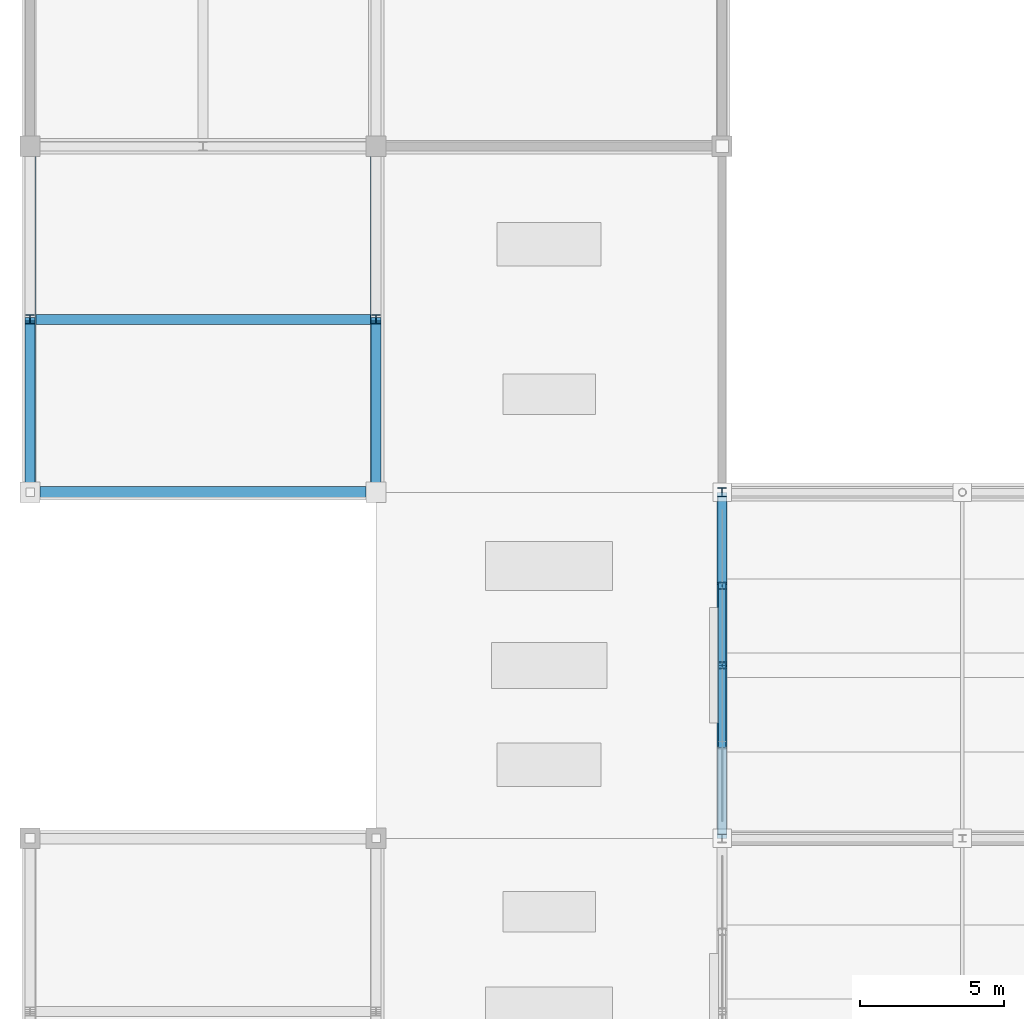
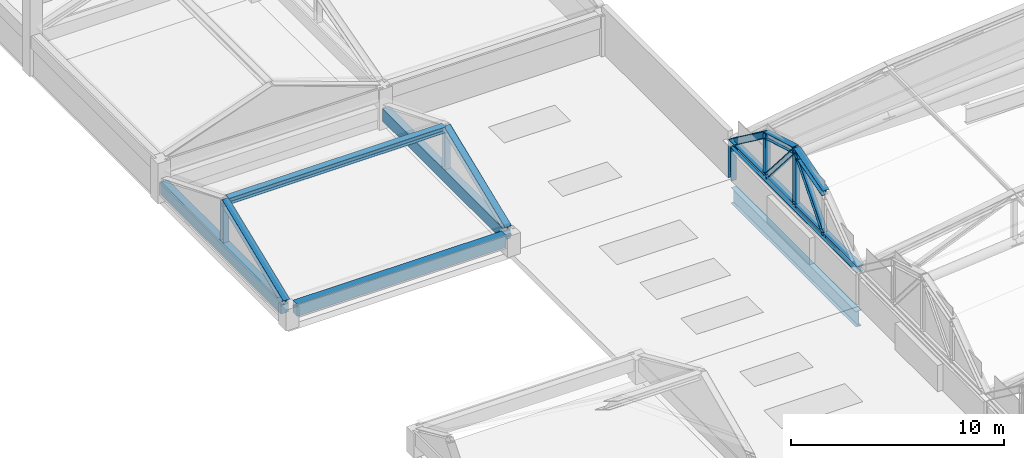
# One storey, part 38 of 117: 14 members, 4 beams.
"""IFC4 building model written with IfcOpenShell, lengths in metres."""

from ifc_helpers import new_model, si_unit, direction, frame, origin, origin_2d, place, context, subcontext, project, spatial, rectangle, i_section, extrude, material, material_profile, profile_set, type_object, element, save


model = new_model("IFC4")

# Units and contexts
model_context = context("Model", 3, precision=1e-05, world=origin(), true_north=direction((0.0, 1.0)))
body_context = subcontext(model_context, "Body", "Model", "MODEL_VIEW")
ifc_project = project(units=[si_unit("LENGTHUNIT", "METRE"), si_unit("AREAUNIT", "SQUARE_METRE"), si_unit("VOLUMEUNIT", "CUBIC_METRE"), si_unit("PLANEANGLEUNIT", "RADIAN"), si_unit("MASSUNIT", "GRAM", prefix="KILO")], contexts=[model_context])

# Site, building, storey
site_placement = place(None, origin())
site = spatial("IfcSite", under=ifc_project, at=site_placement, CompositionType="ELEMENT")
building_placement = place(site_placement, origin())
building = spatial("IfcBuilding", under=site, at=building_placement, Name="Kazenohara Klinker Stadium", CompositionType="ELEMENT")
storey_placement = place(building_placement, frame((0.0, 0.0, 31.199951171875)))
storey = spatial("IfcBuildingStorey", under=building, at=storey_placement, Name="RF", CompositionType="ELEMENT", Elevation=31.199951171875)

# Beams
ifc_material_1 = material(Name="Concrete C40/50", Category="concrete")
ifc_material_profile_1 = material_profile(ifc_material_1, rectangle(XDim=0.39990234375, YDim=0.699951171875, at=origin_2d()), Name="RC-BM-400x700")
ifc_profile_set_1 = profile_set([ifc_material_profile_1], Name="Concrete C40/50")
beam_type_1 = type_object("IfcBeamType", Name="BM-RC04", PredefinedType="BEAM", material=ifc_profile_set_1)
for number, where, z_axis, x_axis, name in (
    (1, (0.35009765625, 132.0, 0.85009765625), (1.0, 0.0, 0.0), (0.0, 1.0, 0.0), "Turret crown eave girder BG04 RF X0-11"),
    (2, (0.0, 132.35009765625, 0.85009765625), (0.0, 1.0, 0.0), (-1.0, 0.0, 0.0), "Turret crown eave girder BG04 RF Y0-11"),
    (3, (12.0, 132.35009765625, 0.85009765625), (0.0, 1.0, 0.0), (-1.0, 0.0, 0.0), "Turret crown eave girder BG04 RF Y1-11"),
):
    element("IfcBeam", number, at=place(storey_placement, frame(where, z_axis=z_axis, x_axis=x_axis)), inside=storey, type_object=beam_type_1, Name=name, PredefinedType="BEAM", context=body_context, shape_type="SweptSolid", body=[
        extrude(rectangle(XDim=0.39990234375, YDim=0.699951171875, at=origin_2d()), origin(), (0.0, 0.0, 1.0), 11.2998046875),
    ])

# Members
ifc_material_2 = material(Name="Steel S355", Category="steel")
ifc_material_profile_2 = material_profile(ifc_material_2, i_section(OverallWidth=0.35009765625, OverallDepth=0.35009765625, WebThickness=0.011962890625, FlangeThickness=0.01904296875, FilletRadius=0.012939453125, at=origin_2d()), Name="H-350x350x12x19")
ifc_profile_set_2 = profile_set([ifc_material_profile_2], Name="Steel S355")
member_type_1 = type_object("IfcMemberType", Name="MEM-CHD02", PredefinedType="CHORD", material=ifc_profile_set_2)
for number, where, z_axis, x_axis, name in (
    (4, (0.0, 132.25, 1.179931640625), (0.0, 0.927356425175, 0.374179182593), (-1.0, 0.0, 0.0), "Crown gable rafter WBST-11 W South"),
    (5, (12.0, 132.25, 1.179931640625), (0.0, 0.927356425175, 0.374179182593), (-1.0, 0.0, 0.0), "Crown gable rafter WBST-11 E South"),
):
    element("IfcMember", number, at=place(storey_placement, frame(where, z_axis=z_axis, x_axis=x_axis)), inside=storey, type_object=member_type_1, Name=name, PredefinedType="CHORD", context=body_context, shape_type="SweptSolid", body=[
        extrude(i_section(OverallWidth=0.35009765625, OverallDepth=0.35009765625, WebThickness=0.011962890625, FlangeThickness=0.01904296875, FilletRadius=0.012939453125, at=origin_2d()), origin(), (0.0, 0.0, 1.0), 6.200439453125),
    ])
member_1_placement = place(storey_placement, frame((0.14990234375, 138.0, 3.5), z_axis=(1.0, 0.0, 0.0), x_axis=(0.0, 1.0, 0.0)))
element("IfcMember", 6, at=member_1_placement, inside=storey, type_object=member_type_1, Name="Crown ridge beam WBST-11", PredefinedType="CHORD", context=body_context, shape_type="SweptSolid", body=[
    extrude(i_section(OverallWidth=0.35009765625, OverallDepth=0.35009765625, WebThickness=0.011962890625, FlangeThickness=0.01904296875, FilletRadius=0.012939453125, at=origin_2d()), origin(), (0.0, 0.0, 1.0), 11.7001953125),
])
member_2_placement = place(storey_placement, frame((24.0, 120.0, 2.10009765625), z_axis=(0.0, 1.0, 0.0), x_axis=(-1.0, 0.0, 0.0)))
element("IfcMember", 7, at=member_2_placement, inside=storey, type_object=member_type_1, Name="Barrel arch tie chord TC02 W-07-N0", PredefinedType="CHORD", context=body_context, shape_type="SweptSolid", body=[
    extrude(i_section(OverallWidth=0.35009765625, OverallDepth=0.35009765625, WebThickness=0.011962890625, FlangeThickness=0.01904296875, FilletRadius=0.012939453125, at=origin_2d()), origin(), (0.0, 0.0, 1.0), 12.0),
])
for number, where, z_axis, x_axis, name in (
    (8, (24.0, 123.239990234375, 4.5), (0.0, 0.960462085918, 0.27841081429), (-1.0, 0.0, 0.0), "Barrel arch top rib TC02 W-07-N0-S2"),
    (9, (24.0, 126.0, 5.300048828125), (0.0, 0.960462085918, -0.27841081429), (-1.0, 0.0, 0.0), "Barrel arch top rib TC02 W-07-N0-S3"),
):
    element("IfcMember", number, at=place(storey_placement, frame(where, z_axis=z_axis, x_axis=x_axis)), inside=storey, type_object=member_type_1, Name=name, PredefinedType="CHORD", context=body_context, shape_type="SweptSolid", body=[
        extrude(i_section(OverallWidth=0.35009765625, OverallDepth=0.35009765625, WebThickness=0.011962890625, FlangeThickness=0.01904296875, FilletRadius=0.012939453125, at=origin_2d()), origin(), (0.0, 0.0, 1.0), 2.87353515625),
    ])
member_3_placement = place(storey_placement, frame((24.0, 128.760009765625, 4.5), z_axis=(0.0, 0.803567919639, -0.595213069856), x_axis=(-1.0, 0.0, 0.0)))
element("IfcMember", 10, at=member_3_placement, inside=storey, type_object=member_type_1, Name="Barrel arch top rib TC02 W-07-N0-S4", PredefinedType="CHORD", context=body_context, shape_type="SweptSolid", body=[
    extrude(i_section(OverallWidth=0.35009765625, OverallDepth=0.35009765625, WebThickness=0.011962890625, FlangeThickness=0.01904296875, FilletRadius=0.012939453125, at=origin_2d()), origin(), (0.0, 0.0, 1.0), 4.031982421875),
])
ifc_material_profile_3 = material_profile(ifc_material_2, i_section(OverallWidth=0.300048828125, OverallDepth=0.300048828125, WebThickness=0.010009765625, FlangeThickness=0.014892578125, FilletRadius=0.012939453125, at=origin_2d()), Name="H-300x300x10x15")
ifc_profile_set_3 = profile_set([ifc_material_profile_3], Name="Steel S355")
member_type_2 = type_object("IfcMemberType", Name="MEM-STR01", PredefinedType="STRUT", material=ifc_profile_set_3)
for number, where, z_axis, x_axis, name in (
    (11, (0.0, 138.0, 1.179931640625), (0.0, 0.0, 1.0), (1.0, 0.0, 0.0), "Crown gable king-post WBST-11 W"),
    (12, (12.0, 138.0, 1.179931640625), (0.0, 0.0, 1.0), (1.0, 0.0, 0.0), "Crown gable king-post WBST-11 E"),
):
    element("IfcMember", number, at=place(storey_placement, frame(where, z_axis=z_axis, x_axis=x_axis)), inside=storey, type_object=member_type_2, Name=name, PredefinedType="STRUT", context=body_context, shape_type="SweptSolid", body=[
        extrude(i_section(OverallWidth=0.300048828125, OverallDepth=0.300048828125, WebThickness=0.010009765625, FlangeThickness=0.014892578125, FilletRadius=0.012939453125, at=origin_2d()), origin(), (0.0, 0.0, 1.0), 2.320068359375),
    ])
member_4_placement = place(storey_placement, frame((24.0, 132.0, -0.02001953125), z_axis=(0.0, 0.0, 1.0), x_axis=(1.0, 0.0, 0.0)))
element("IfcMember", 13, at=member_4_placement, inside=storey, type_object=member_type_2, Name="ROOF TRUSS RT-W08 web post 1", PredefinedType="STRUT", context=body_context, shape_type="SweptSolid", body=[
    extrude(i_section(OverallWidth=0.300048828125, OverallDepth=0.300048828125, WebThickness=0.010009765625, FlangeThickness=0.014892578125, FilletRadius=0.012939453125, at=origin_2d()), origin(), (0.0, 0.0, 1.0), 2.1201171875),
])
ifc_material_profile_4 = material_profile(ifc_material_2, i_section(OverallWidth=0.25, OverallDepth=0.25, WebThickness=0.009033203125, FlangeThickness=0.013916015625, FilletRadius=0.012939453125, at=origin_2d()), Name="H-250x250x9x14")
ifc_profile_set_4 = profile_set([ifc_material_profile_4], Name="Steel S355")
member_type_3 = type_object("IfcMemberType", Name="MEM-STR02", PredefinedType="STRUT", material=ifc_profile_set_4)
member_5_placement = place(storey_placement, frame((24.0, 126.0, 2.10009765625), z_axis=(0.0, 0.0, 1.0), x_axis=(1.0, 0.0, 0.0)))
element("IfcMember", 14, at=member_5_placement, inside=storey, type_object=member_type_3, Name="Barrel arch web post TS02 W-07-N0-P2", PredefinedType="STRUT", context=body_context, shape_type="SweptSolid", body=[
    extrude(i_section(OverallWidth=0.25, OverallDepth=0.25, WebThickness=0.009033203125, FlangeThickness=0.013916015625, FilletRadius=0.012939453125, at=origin_2d()), origin(), (0.0, 0.0, 1.0), 3.199951171875),
])
member_6_placement = place(storey_placement, frame((24.0, 128.760009765625, 2.10009765625), z_axis=(0.0, 0.0, 1.0), x_axis=(1.0, 0.0, 0.0)))
element("IfcMember", 15, at=member_6_placement, inside=storey, type_object=member_type_3, Name="Barrel arch web post TS02 W-07-N0-P3", PredefinedType="STRUT", context=body_context, shape_type="SweptSolid", body=[
    extrude(i_section(OverallWidth=0.25, OverallDepth=0.25, WebThickness=0.009033203125, FlangeThickness=0.013916015625, FilletRadius=0.012939453125, at=origin_2d()), origin(), (0.0, 0.0, 1.0), 2.39990234375),
])
for number, where, z_axis, x_axis, name in (
    (16, (24.0, 123.239990234375, 2.10009765625), (0.0, 0.653133887971, 0.757242447558), (-1.0, 0.0, 0.0), "Barrel arch web diagonal TS02 W-07-N0-D1"),
    (17, (24.0, 128.760009765625, 2.10009765625), (0.0, -0.653133887971, 0.757242447558), (1.0, 0.0, 0.0), "Barrel arch web diagonal TS02 W-07-N0-D2"),
):
    element("IfcMember", number, at=place(storey_placement, frame(where, z_axis=z_axis, x_axis=x_axis)), inside=storey, type_object=member_type_3, Name=name, PredefinedType="STRUT", context=body_context, shape_type="SweptSolid", body=[
        extrude(i_section(OverallWidth=0.25, OverallDepth=0.25, WebThickness=0.009033203125, FlangeThickness=0.013916015625, FilletRadius=0.012939453125, at=origin_2d()), origin(), (0.0, 0.0, 1.0), 4.225830078125),
    ])

# Beam
ifc_material_profile_5 = material_profile(ifc_material_2, i_section(OverallWidth=0.300048828125, OverallDepth=0.89990234375, WebThickness=0.01611328125, FlangeThickness=0.028076171875, FilletRadius=0.02197265625, at=origin_2d()), Name="H-900x300x16x28")
ifc_profile_set_5 = profile_set([ifc_material_profile_5], Name="Steel S355")
beam_type_2 = type_object("IfcBeamType", Name="RING-RB01", PredefinedType="USERDEFINED", material=ifc_profile_set_5)
beam_placement = place(storey_placement, frame((24.0, 120.139892578125, -0.820068359375), z_axis=(0.0, 1.0, 0.0), x_axis=(-1.0, 0.0, 0.0)))
element("IfcBeam", 18, at=beam_placement, inside=storey, type_object=beam_type_2, Name="Roof ring beam RB01 W-OUT L-M", ObjectType="RING BEAM", PredefinedType="USERDEFINED", context=body_context, shape_type="SweptSolid", body=[
    extrude(i_section(OverallWidth=0.300048828125, OverallDepth=0.89990234375, WebThickness=0.01611328125, FlangeThickness=0.028076171875, FilletRadius=0.02197265625, at=origin_2d()), origin(), (0.0, 0.0, 1.0), 11.72021484375),
])

save(model, "model.ifc")
